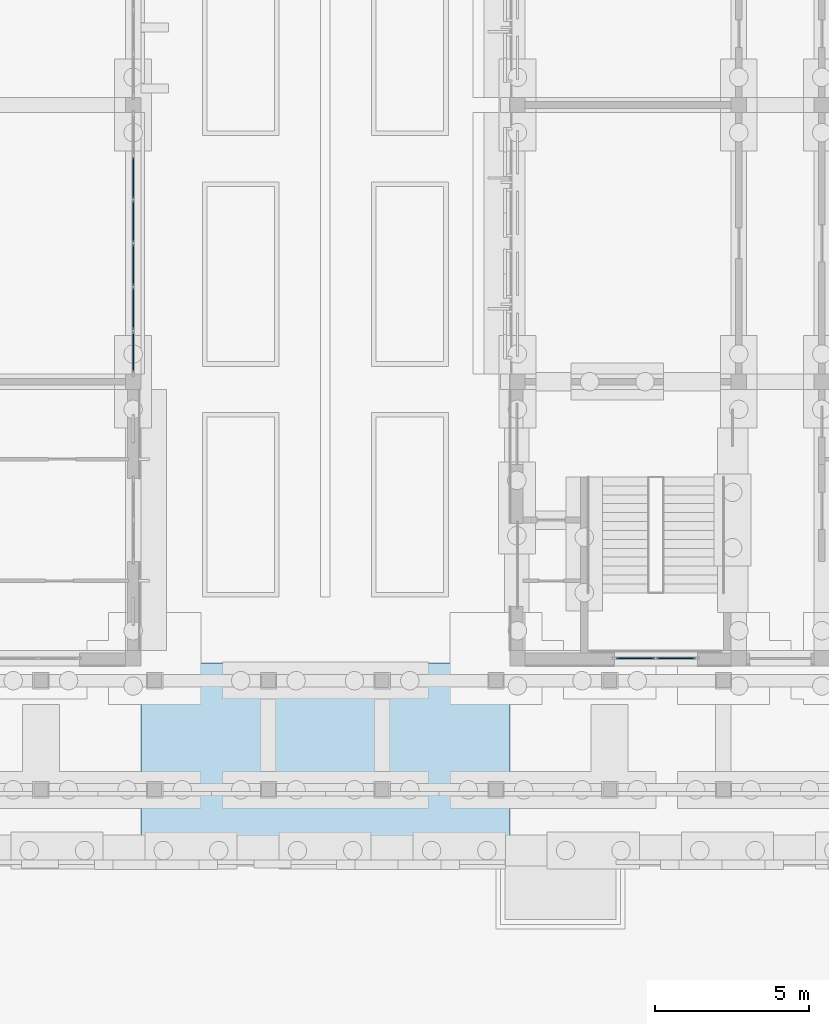
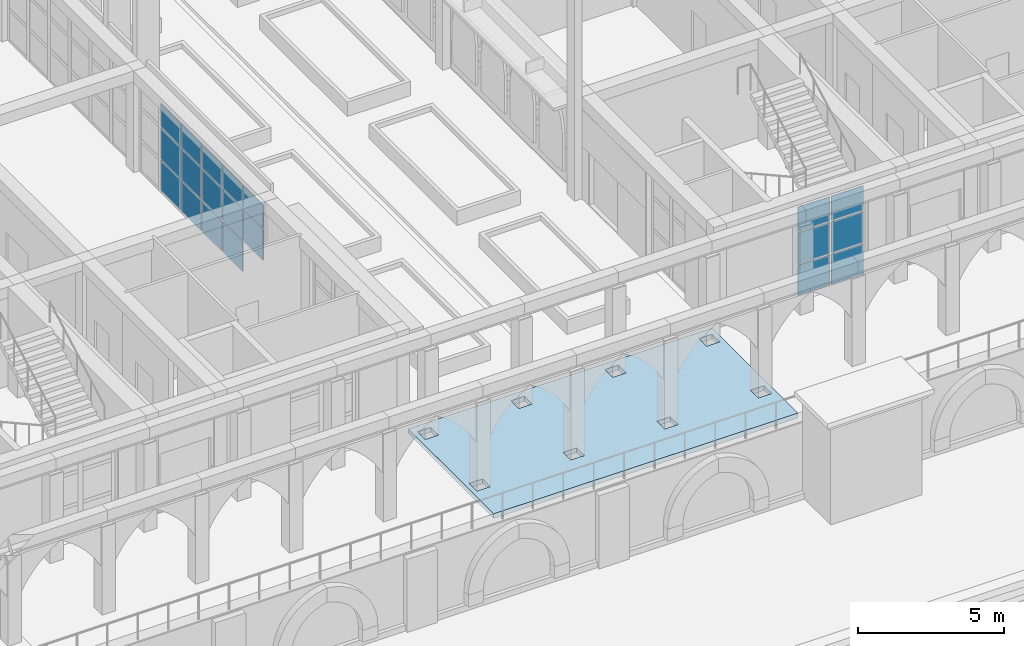
# One storey, part 44 of 161: 20 plates, 1 slab, 2 elements without a shape of their own.
"""IFC4 building model written with IfcOpenShell, lengths in metres."""

from ifc_helpers import new_model, si_unit, direction, frame, origin, origin_2d, place, context, subcontext, project, spatial, polyline, rectangle, outline, extrude, material, layer, layer_set, type_object, element, aggregate, save


model = new_model("IFC4")

# Units and contexts
model_context = context("Model", 3, precision=1e-05, world=origin(), true_north=direction((0.0, 1.0)))
body_context = subcontext(model_context, "Body", "Model", "MODEL_VIEW")
ifc_project = project(units=[si_unit("LENGTHUNIT", "METRE"), si_unit("AREAUNIT", "SQUARE_METRE"), si_unit("VOLUMEUNIT", "CUBIC_METRE"), si_unit("PLANEANGLEUNIT", "RADIAN"), si_unit("MASSUNIT", "GRAM", prefix="KILO")], contexts=[model_context])

# Site, building, storey
site_placement = place(None, origin())
site = spatial("IfcSite", under=ifc_project, at=site_placement, CompositionType="ELEMENT")
building_placement = place(site_placement, origin())
building = spatial("IfcBuilding", under=site, at=building_placement, Name="Elbe Cascade School", CompositionType="ELEMENT")
storey_placement = place(building_placement, origin())
storey = spatial("IfcBuildingStorey", under=building, at=storey_placement, Name="L00", CompositionType="ELEMENT", Elevation=0.0)

# Curtain wall, plates
ifc_material_1 = material(Name="Aluminium frame with double glazing, bronze anodised", Category="aluminium")
ifc_layer_1 = layer(ifc_material_1, 0.199951171875)
ifc_layer_set_1 = layer_set([ifc_layer_1], Name="Aluminium frame with double glazing, bronze anodised")
curtain_wall_type = type_object("IfcCurtainWallType", Name="Bars envelope Curtain wall, aluminium, bronze anodised, ground floor tall run", PredefinedType="NOTDEFINED", material=ifc_layer_set_1)
curtain_wall_1_placement = place(storey_placement, origin())
curtain_wall_1 = element("IfcCurtainWall", 1, at=curtain_wall_1_placement, inside=storey, type_object=curtain_wall_type, Name="Curtain wall CW3 A.L00.e2", PredefinedType="NOTDEFINED")
ifc_material_2 = material(Name="Glass - double glazed low-E", Category="glass")
ifc_layer_2 = layer(ifc_material_2, 0.035888671875)
ifc_layer_set_2 = layer_set([ifc_layer_2], Name="Glass - double glazed low-E")
plate_type = type_object("IfcPlateType", Name="Bars envelope Curtain wall glazing panel 36 mm, double glazed, ground floor tall run", PredefinedType="CURTAIN_PANEL", material=ifc_layer_set_2)
plate_1_placement = place(storey_placement, frame((86.10009765625, 21.625, 0.06005859375), z_axis=(0.0, 0.0, 1.0), x_axis=(0.0, -1.0, 0.0)))
plate_1 = element("IfcPlate", 2, at=plate_1_placement, type_object=plate_type, Name="CW3 panel 2.1", PredefinedType="CURTAIN_PANEL", context=body_context, shape_type="SweptSolid", body=[
    extrude(rectangle(XDim=1.356689453125, YDim=0.035888671875, at=origin_2d()), origin(), (0.0, 0.0, 1.0), 1.260009765625),
])
plate_2_placement = place(storey_placement, frame((86.10009765625, 21.625, 1.3798828125), z_axis=(0.0, 0.0, 1.0), x_axis=(0.0, -1.0, 0.0)))
plate_2 = element("IfcPlate", 3, at=plate_2_placement, type_object=plate_type, Name="CW3 panel 2.2", PredefinedType="CURTAIN_PANEL", context=body_context, shape_type="SweptSolid", body=[
    extrude(rectangle(XDim=1.356689453125, YDim=0.035888671875, at=origin_2d()), origin(), (0.0, 0.0, 1.0), 1.2900390625),
])
plate_3_placement = place(storey_placement, frame((86.10009765625, 21.625, 2.72998046875), z_axis=(0.0, 0.0, 1.0), x_axis=(0.0, -1.0, 0.0)))
plate_3 = element("IfcPlate", 4, at=plate_3_placement, type_object=plate_type, Name="CW3 panel 2.3", PredefinedType="CURTAIN_PANEL", context=body_context, shape_type="SweptSolid", body=[
    extrude(rectangle(XDim=1.356689453125, YDim=0.035888671875, at=origin_2d()), origin(), (0.0, 0.0, 1.0), 0.9599609375),
])
plate_4_placement = place(storey_placement, frame((86.10009765625, 20.208251953125, 0.06005859375), z_axis=(0.0, 0.0, 1.0), x_axis=(0.0, -1.0, 0.0)))
plate_4 = element("IfcPlate", 5, at=plate_4_placement, type_object=plate_type, Name="CW3 panel 3.1", PredefinedType="CURTAIN_PANEL", context=body_context, shape_type="SweptSolid", body=[
    extrude(rectangle(XDim=1.356689453125, YDim=0.035888671875, at=origin_2d()), origin(), (0.0, 0.0, 1.0), 1.260009765625),
])
plate_5_placement = place(storey_placement, frame((86.10009765625, 20.208251953125, 1.3798828125), z_axis=(0.0, 0.0, 1.0), x_axis=(0.0, -1.0, 0.0)))
plate_5 = element("IfcPlate", 6, at=plate_5_placement, type_object=plate_type, Name="CW3 panel 3.2", PredefinedType="CURTAIN_PANEL", context=body_context, shape_type="SweptSolid", body=[
    extrude(rectangle(XDim=1.356689453125, YDim=0.035888671875, at=origin_2d()), origin(), (0.0, 0.0, 1.0), 1.2900390625),
])
plate_6_placement = place(storey_placement, frame((86.10009765625, 20.208251953125, 2.72998046875), z_axis=(0.0, 0.0, 1.0), x_axis=(0.0, -1.0, 0.0)))
plate_6 = element("IfcPlate", 7, at=plate_6_placement, type_object=plate_type, Name="CW3 panel 3.3", PredefinedType="CURTAIN_PANEL", context=body_context, shape_type="SweptSolid", body=[
    extrude(rectangle(XDim=1.356689453125, YDim=0.035888671875, at=origin_2d()), origin(), (0.0, 0.0, 1.0), 0.9599609375),
])
plate_7_placement = place(storey_placement, frame((86.10009765625, 18.791748046875, 0.06005859375), z_axis=(0.0, 0.0, 1.0), x_axis=(0.0, -1.0, 0.0)))
plate_7 = element("IfcPlate", 8, at=plate_7_placement, type_object=plate_type, Name="CW3 panel 4.1", PredefinedType="CURTAIN_PANEL", context=body_context, shape_type="SweptSolid", body=[
    extrude(rectangle(XDim=1.356689453125, YDim=0.035888671875, at=origin_2d()), origin(), (0.0, 0.0, 1.0), 1.260009765625),
])
plate_8_placement = place(storey_placement, frame((86.10009765625, 18.791748046875, 1.3798828125), z_axis=(0.0, 0.0, 1.0), x_axis=(0.0, -1.0, 0.0)))
plate_8 = element("IfcPlate", 9, at=plate_8_placement, type_object=plate_type, Name="CW3 panel 4.2", PredefinedType="CURTAIN_PANEL", context=body_context, shape_type="SweptSolid", body=[
    extrude(rectangle(XDim=1.356689453125, YDim=0.035888671875, at=origin_2d()), origin(), (0.0, 0.0, 1.0), 1.2900390625),
])
plate_9_placement = place(storey_placement, frame((86.10009765625, 18.791748046875, 2.72998046875), z_axis=(0.0, 0.0, 1.0), x_axis=(0.0, -1.0, 0.0)))
plate_9 = element("IfcPlate", 10, at=plate_9_placement, type_object=plate_type, Name="CW3 panel 4.3", PredefinedType="CURTAIN_PANEL", context=body_context, shape_type="SweptSolid", body=[
    extrude(rectangle(XDim=1.356689453125, YDim=0.035888671875, at=origin_2d()), origin(), (0.0, 0.0, 1.0), 0.9599609375),
])
plate_10_placement = place(storey_placement, frame((86.10009765625, 17.375, 0.06005859375), z_axis=(0.0, 0.0, 1.0), x_axis=(0.0, -1.0, 0.0)))
plate_10 = element("IfcPlate", 11, at=plate_10_placement, type_object=plate_type, Name="CW3 panel 5.1", PredefinedType="CURTAIN_PANEL", context=body_context, shape_type="SweptSolid", body=[
    extrude(rectangle(XDim=1.356689453125, YDim=0.035888671875, at=origin_2d()), origin(), (0.0, 0.0, 1.0), 1.260009765625),
])
plate_11_placement = place(storey_placement, frame((86.10009765625, 17.375, 1.3798828125), z_axis=(0.0, 0.0, 1.0), x_axis=(0.0, -1.0, 0.0)))
plate_11 = element("IfcPlate", 12, at=plate_11_placement, type_object=plate_type, Name="CW3 panel 5.2", PredefinedType="CURTAIN_PANEL", context=body_context, shape_type="SweptSolid", body=[
    extrude(rectangle(XDim=1.356689453125, YDim=0.035888671875, at=origin_2d()), origin(), (0.0, 0.0, 1.0), 1.2900390625),
])
plate_12_placement = place(storey_placement, frame((86.10009765625, 17.375, 2.72998046875), z_axis=(0.0, 0.0, 1.0), x_axis=(0.0, -1.0, 0.0)))
plate_12 = element("IfcPlate", 13, at=plate_12_placement, type_object=plate_type, Name="CW3 panel 5.3", PredefinedType="CURTAIN_PANEL", context=body_context, shape_type="SweptSolid", body=[
    extrude(rectangle(XDim=1.356689453125, YDim=0.035888671875, at=origin_2d()), origin(), (0.0, 0.0, 1.0), 0.9599609375),
])
plate_13_placement = place(storey_placement, frame((86.10009765625, 15.973388671875, 1.3798828125), z_axis=(0.0, 0.0, 1.0), x_axis=(0.0, -1.0, 0.0)))
plate_13 = element("IfcPlate", 14, at=plate_13_placement, type_object=plate_type, Name="CW3 panel 6.2", PredefinedType="CURTAIN_PANEL", context=body_context, shape_type="SweptSolid", body=[
    extrude(rectangle(XDim=1.32666015625, YDim=0.035888671875, at=origin_2d()), origin(), (0.0, 0.0, 1.0), 1.2900390625),
])
plate_14_placement = place(storey_placement, frame((86.10009765625, 15.973388671875, 2.72998046875), z_axis=(0.0, 0.0, 1.0), x_axis=(0.0, -1.0, 0.0)))
plate_14 = element("IfcPlate", 15, at=plate_14_placement, type_object=plate_type, Name="CW3 panel 6.3", PredefinedType="CURTAIN_PANEL", context=body_context, shape_type="SweptSolid", body=[
    extrude(rectangle(XDim=1.32666015625, YDim=0.035888671875, at=origin_2d()), origin(), (0.0, 0.0, 1.0), 0.9599609375),
])
aggregate(curtain_wall_1, [plate_1, plate_2, plate_3, plate_4, plate_5, plate_6, plate_7, plate_8, plate_9, plate_10, plate_11, plate_12, plate_13, plate_14])

curtain_wall_2_placement = place(storey_placement, origin())
curtain_wall_2 = element("IfcCurtainWall", 16, at=curtain_wall_2_placement, inside=storey, type_object=curtain_wall_type, Name="Curtain wall CW3 B.L00.s1", PredefinedType="NOTDEFINED")
plate_15_placement = place(storey_placement, frame((103.760009765625, 6.0, 0.06005859375), z_axis=(0.0, 0.0, 1.0), x_axis=(-1.0, 0.0, 0.0)))
plate_15 = element("IfcPlate", 17, at=plate_15_placement, type_object=plate_type, Name="CW3 panel 1.1", PredefinedType="CURTAIN_PANEL", context=body_context, shape_type="SweptSolid", body=[
    extrude(rectangle(XDim=1.260009765625, YDim=0.035888671875, at=origin_2d()), origin(), (0.0, 0.0, 1.0), 1.260009765625),
])
plate_16_placement = place(storey_placement, frame((103.760009765625, 6.0, 1.3798828125), z_axis=(0.0, 0.0, 1.0), x_axis=(-1.0, 0.0, 0.0)))
plate_16 = element("IfcPlate", 18, at=plate_16_placement, type_object=plate_type, Name="CW3 panel 1.2", PredefinedType="CURTAIN_PANEL", context=body_context, shape_type="SweptSolid", body=[
    extrude(rectangle(XDim=1.260009765625, YDim=0.035888671875, at=origin_2d()), origin(), (0.0, 0.0, 1.0), 1.2900390625),
])
plate_17_placement = place(storey_placement, frame((103.760009765625, 6.0, 2.72998046875), z_axis=(0.0, 0.0, 1.0), x_axis=(-1.0, 0.0, 0.0)))
plate_17 = element("IfcPlate", 19, at=plate_17_placement, type_object=plate_type, Name="CW3 panel 1.3", PredefinedType="CURTAIN_PANEL", context=body_context, shape_type="SweptSolid", body=[
    extrude(rectangle(XDim=1.260009765625, YDim=0.035888671875, at=origin_2d()), origin(), (0.0, 0.0, 1.0), 1.010009765625),
])
plate_18_placement = place(storey_placement, frame((102.43994140625, 6.0, 0.06005859375), z_axis=(0.0, 0.0, 1.0), x_axis=(-1.0, 0.0, 0.0)))
plate_18 = element("IfcPlate", 20, at=plate_18_placement, type_object=plate_type, Name="CW3 panel 2.1", PredefinedType="CURTAIN_PANEL", context=body_context, shape_type="SweptSolid", body=[
    extrude(rectangle(XDim=1.260009765625, YDim=0.035888671875, at=origin_2d()), origin(), (0.0, 0.0, 1.0), 1.260009765625),
])
plate_19_placement = place(storey_placement, frame((102.43994140625, 6.0, 1.3798828125), z_axis=(0.0, 0.0, 1.0), x_axis=(-1.0, 0.0, 0.0)))
plate_19 = element("IfcPlate", 21, at=plate_19_placement, type_object=plate_type, Name="CW3 panel 2.2", PredefinedType="CURTAIN_PANEL", context=body_context, shape_type="SweptSolid", body=[
    extrude(rectangle(XDim=1.260009765625, YDim=0.035888671875, at=origin_2d()), origin(), (0.0, 0.0, 1.0), 1.2900390625),
])
plate_20_placement = place(storey_placement, frame((102.43994140625, 6.0, 2.72998046875), z_axis=(0.0, 0.0, 1.0), x_axis=(-1.0, 0.0, 0.0)))
plate_20 = element("IfcPlate", 22, at=plate_20_placement, type_object=plate_type, Name="CW3 panel 2.3", PredefinedType="CURTAIN_PANEL", context=body_context, shape_type="SweptSolid", body=[
    extrude(rectangle(XDim=1.260009765625, YDim=0.035888671875, at=origin_2d()), origin(), (0.0, 0.0, 1.0), 1.010009765625),
])
aggregate(curtain_wall_2, [plate_15, plate_16, plate_17, plate_18, plate_19, plate_20])

# Slab
ifc_material_3 = material(Name="Concrete C30/37", Category="concrete")
ifc_layer_3 = layer(ifc_material_3, 0.199951171875)
ifc_layer_set_3 = layer_set([ifc_layer_3], Name="Concrete C30/37")
slab_type = type_object("IfcSlabType", Name="Paving slab 200", PredefinedType="BASESLAB", material=ifc_layer_set_3)
slab_placement = place(storey_placement, frame((0.0, 0.0, -0.199951171875)))
element("IfcSlab", 23, at=slab_placement, inside=storey, type_object=slab_type, Name="Colonnade walk paving east of the lane 2", PredefinedType="BASESLAB", context=body_context, shape_type="SweptSolid", body=[
    extrude(outline(polyline([(86.35009765625, 0.0), (98.35009765625, 0.0), (98.35009765625, 5.75), (98.35009765625, 5.85009765625), (86.35009765625, 5.85009765625), (86.35009765625, 5.75), (86.35009765625, 0.0)]), holes=[polyline([(87.06494140625, 1.989990234375), (87.06494140625, 1.4599609375), (86.534912109375, 1.4599609375), (86.534912109375, 1.989990234375), (87.06494140625, 1.989990234375)]), polyline([(87.06494140625, 5.010009765625), (86.534912109375, 5.010009765625), (86.534912109375, 5.5400390625), (87.06494140625, 5.5400390625), (87.06494140625, 5.010009765625)]), polyline([(90.235107421875, 1.4599609375), (90.235107421875, 1.989990234375), (90.764892578125, 1.989990234375), (90.764892578125, 1.4599609375), (90.235107421875, 1.4599609375)]), polyline([(90.235107421875, 5.5400390625), (90.764892578125, 5.5400390625), (90.764892578125, 5.010009765625), (90.235107421875, 5.010009765625), (90.235107421875, 5.5400390625)]), polyline([(94.465087890625, 1.989990234375), (94.465087890625, 1.4599609375), (93.93505859375, 1.4599609375), (93.93505859375, 1.989990234375), (94.465087890625, 1.989990234375)]), polyline([(94.465087890625, 5.010009765625), (93.93505859375, 5.010009765625), (93.93505859375, 5.5400390625), (94.465087890625, 5.5400390625), (94.465087890625, 5.010009765625)]), polyline([(97.635009765625, 1.4599609375), (97.635009765625, 1.989990234375), (98.1650390625, 1.989990234375), (98.1650390625, 1.4599609375), (97.635009765625, 1.4599609375)]), polyline([(97.635009765625, 5.5400390625), (98.1650390625, 5.5400390625), (98.1650390625, 5.010009765625), (97.635009765625, 5.010009765625), (97.635009765625, 5.5400390625)])]), origin(), (0.0, 0.0, 1.0), 0.199951171875),
])

save(model, "model.ifc")
